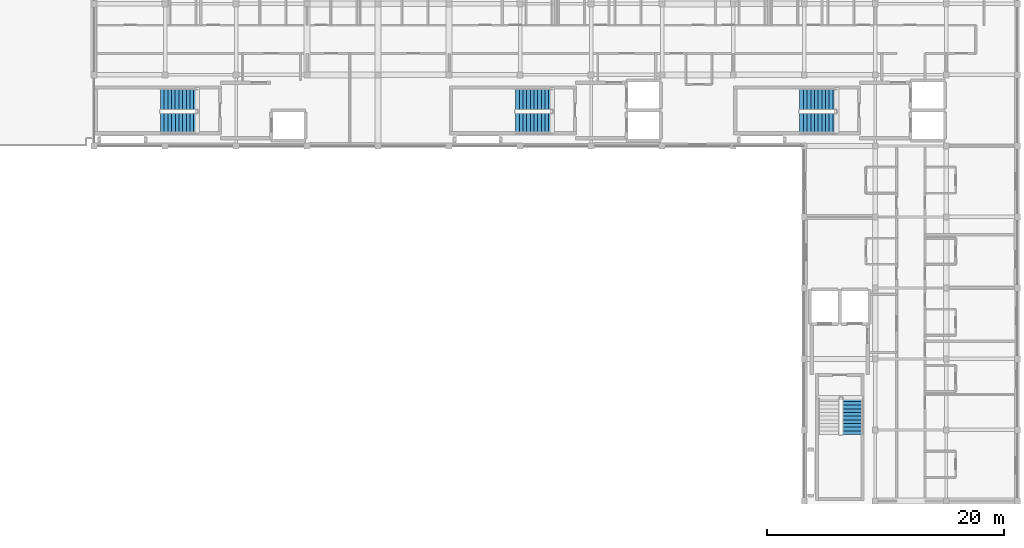
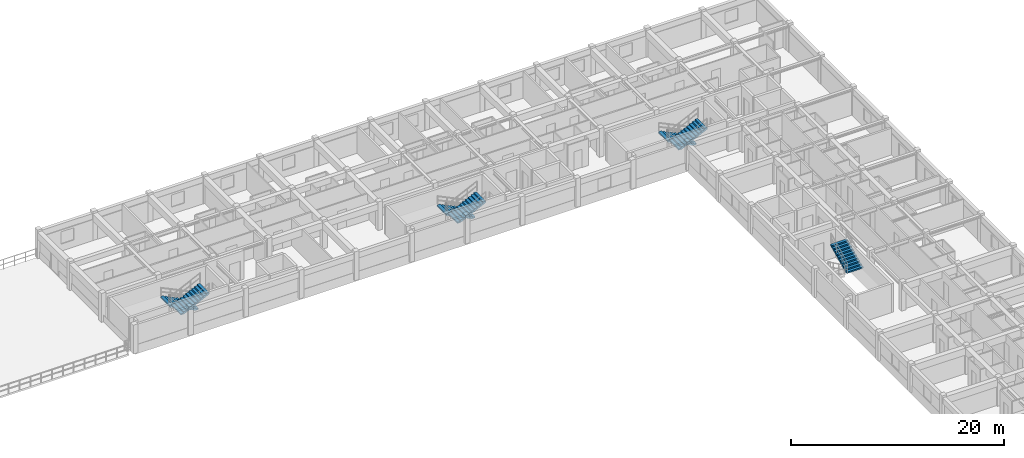
# One storey, part 11 of 15: 7 stair flights, 4 elements without a shape of their own.
"""IFC4 building model written with IfcOpenShell, lengths in metres."""

from ifc_helpers import new_model, si_unit, direction, frame, origin, place, context, subcontext, project, spatial, polyline, outline, extrude, material, type_object, element, aggregate, save


model = new_model("IFC4")

# Units and contexts
model_context = context("Model", 3, precision=1e-05, world=origin(), true_north=direction((0.0, 1.0)))
body_context = subcontext(model_context, "Body", "Model", "MODEL_VIEW")
ifc_project = project(units=[si_unit("LENGTHUNIT", "METRE"), si_unit("AREAUNIT", "SQUARE_METRE"), si_unit("VOLUMEUNIT", "CUBIC_METRE"), si_unit("PLANEANGLEUNIT", "RADIAN"), si_unit("MASSUNIT", "GRAM", prefix="KILO"), si_unit("THERMODYNAMICTEMPERATUREUNIT", "KELVIN"), si_unit("POWERUNIT", "WATT")], contexts=[model_context])

# Site, building, storey
site_placement = place(None, origin())
site = spatial("IfcSite", under=ifc_project, at=site_placement, CompositionType="ELEMENT")
building_placement = place(site_placement, origin())
building = spatial("IfcBuilding", under=site, at=building_placement, Name="Phaisarnlok Congress Hotel", CompositionType="ELEMENT")
storey_placement = place(building_placement, frame((0.0, 0.0, 38.10009765625)))
storey = spatial("IfcBuildingStorey", under=building, at=storey_placement, Name="L09", CompositionType="ELEMENT", Elevation=38.10009765625)

# Stair, stair flights
ifc_material = material(Name="Concrete C40/50", Category="concrete")
stair_type = type_object("IfcStairType", Name="STR-DOG-05", PredefinedType="HALF_TURN_STAIR", material=ifc_material)
stair_1_placement = place(storey_placement, origin())
stair_1 = element("IfcStair", 1, at=stair_1_placement, inside=storey, type_object=stair_type, Name="L09 ST-05", PredefinedType="HALF_TURN_STAIR")
stair_flight_type = type_object("IfcStairFlightType", Name="SFL-RC-05", PredefinedType="STRAIGHT", material=ifc_material)
stair_flight_1_placement = place(storey_placement, frame((164.719970703125, 111.909912109375, 0.0), z_axis=(0.0, 0.0, 1.0), x_axis=(-1.0, 0.0, 0.0)))
stair_flight_1 = element("IfcStairFlight", 2, at=stair_flight_1_placement, type_object=stair_flight_type, Name="ST-05 flight 1", NumberOfRisers=11, NumberOfTreads=10, PredefinedType="STRAIGHT", RiserHeight=0.15, TreadLength=0.31, context=body_context, shape_type="SweptSolid", body=[
    extrude(outline(polyline([(0.0, 0.0), (0.0, 0.14990234375), (0.31005859375, 0.14990234375), (0.31005859375, 0.300048828125), (0.6201171875, 0.300048828125), (0.6201171875, 0.449951171875), (0.929931640625, 0.449951171875), (0.929931640625, 0.60009765625), (1.239990234375, 0.60009765625), (1.239990234375, 0.75), (1.550048828125, 0.75), (1.550048828125, 0.89990234375), (1.860107421875, 0.89990234375), (1.860107421875, 1.050048828125), (2.169921875, 1.050048828125), (2.169921875, 1.199951171875), (2.47998046875, 1.199951171875), (2.47998046875, 1.35009765625), (2.7900390625, 1.35009765625), (2.7900390625, 1.5), (3.10009765625, 1.5), (3.10009765625, 1.64990234375), (3.10009765625, 1.33349609375), (0.34423828125, 0.0), (0.0, 0.0)])), frame((0.0, 0.89013671875, 0.0), z_axis=(0.0, -1.0, 0.0), x_axis=(1.0, 0.0, 0.0)), (0.0, 0.0, 1.0), 1.780029296875),
])
stair_flight_2_placement = place(storey_placement, frame((161.6201171875, 109.889892578125, 1.64990234375), z_axis=(0.0, 0.0, 1.0), x_axis=(1.0, 0.0, 0.0)))
stair_flight_2 = element("IfcStairFlight", 3, at=stair_flight_2_placement, type_object=stair_flight_type, Name="ST-05 flight 2", NumberOfRisers=11, NumberOfTreads=10, PredefinedType="STRAIGHT", RiserHeight=0.15, TreadLength=0.31, context=body_context, shape_type="SweptSolid", body=[
    extrude(outline(polyline([(0.0, 0.0), (0.0, 0.14990234375), (0.31005859375, 0.14990234375), (0.31005859375, 0.300048828125), (0.6201171875, 0.300048828125), (0.6201171875, 0.449951171875), (0.929931640625, 0.449951171875), (0.929931640625, 0.60009765625), (1.239990234375, 0.60009765625), (1.239990234375, 0.75), (1.550048828125, 0.75), (1.550048828125, 0.89990234375), (1.860107421875, 0.89990234375), (1.860107421875, 1.050048828125), (2.169921875, 1.050048828125), (2.169921875, 1.199951171875), (2.47998046875, 1.199951171875), (2.47998046875, 1.35009765625), (2.7900390625, 1.35009765625), (2.7900390625, 1.5), (3.10009765625, 1.5), (3.10009765625, 1.64990234375), (3.10009765625, 1.33349609375), (0.34423828125, 0.0), (0.0, 0.0)])), frame((0.0, 0.89013671875, 0.0), z_axis=(0.0, -1.0, 0.0), x_axis=(1.0, 0.0, 0.0)), (0.0, 0.0, 1.0), 1.780029296875),
])
aggregate(stair_1, [stair_flight_1, stair_flight_2])

stair_2_placement = place(storey_placement, origin())
stair_2 = element("IfcStair", 4, at=stair_2_placement, inside=storey, type_object=stair_type, Name="L09 ST-06", PredefinedType="HALF_TURN_STAIR")
stair_flight_3_placement = place(storey_placement, frame((140.719970703125, 111.909912109375, 0.0), z_axis=(0.0, 0.0, 1.0), x_axis=(-1.0, 0.0, 0.0)))
stair_flight_3 = element("IfcStairFlight", 5, at=stair_flight_3_placement, type_object=stair_flight_type, Name="ST-06 flight 1", NumberOfRisers=11, NumberOfTreads=10, PredefinedType="STRAIGHT", RiserHeight=0.15, TreadLength=0.31, context=body_context, shape_type="SweptSolid", body=[
    extrude(outline(polyline([(0.0, 0.0), (0.0, 0.14990234375), (0.31005859375, 0.14990234375), (0.31005859375, 0.300048828125), (0.6201171875, 0.300048828125), (0.6201171875, 0.449951171875), (0.929931640625, 0.449951171875), (0.929931640625, 0.60009765625), (1.239990234375, 0.60009765625), (1.239990234375, 0.75), (1.550048828125, 0.75), (1.550048828125, 0.89990234375), (1.860107421875, 0.89990234375), (1.860107421875, 1.050048828125), (2.169921875, 1.050048828125), (2.169921875, 1.199951171875), (2.47998046875, 1.199951171875), (2.47998046875, 1.35009765625), (2.7900390625, 1.35009765625), (2.7900390625, 1.5), (3.10009765625, 1.5), (3.10009765625, 1.64990234375), (3.10009765625, 1.33349609375), (0.34423828125, 0.0), (0.0, 0.0)])), frame((0.0, 0.89013671875, 0.0), z_axis=(0.0, -1.0, 0.0), x_axis=(1.0, 0.0, 0.0)), (0.0, 0.0, 1.0), 1.780029296875),
])
stair_flight_4_placement = place(storey_placement, frame((137.6201171875, 109.889892578125, 1.64990234375), z_axis=(0.0, 0.0, 1.0), x_axis=(1.0, 0.0, 0.0)))
stair_flight_4 = element("IfcStairFlight", 6, at=stair_flight_4_placement, type_object=stair_flight_type, Name="ST-06 flight 2", NumberOfRisers=11, NumberOfTreads=10, PredefinedType="STRAIGHT", RiserHeight=0.15, TreadLength=0.31, context=body_context, shape_type="SweptSolid", body=[
    extrude(outline(polyline([(0.0, 0.0), (0.0, 0.14990234375), (0.31005859375, 0.14990234375), (0.31005859375, 0.300048828125), (0.6201171875, 0.300048828125), (0.6201171875, 0.449951171875), (0.929931640625, 0.449951171875), (0.929931640625, 0.60009765625), (1.239990234375, 0.60009765625), (1.239990234375, 0.75), (1.550048828125, 0.75), (1.550048828125, 0.89990234375), (1.860107421875, 0.89990234375), (1.860107421875, 1.050048828125), (2.169921875, 1.050048828125), (2.169921875, 1.199951171875), (2.47998046875, 1.199951171875), (2.47998046875, 1.35009765625), (2.7900390625, 1.35009765625), (2.7900390625, 1.5), (3.10009765625, 1.5), (3.10009765625, 1.64990234375), (3.10009765625, 1.33349609375), (0.34423828125, 0.0), (0.0, 0.0)])), frame((0.0, 0.89013671875, 0.0), z_axis=(0.0, -1.0, 0.0), x_axis=(1.0, 0.0, 0.0)), (0.0, 0.0, 1.0), 1.780029296875),
])
aggregate(stair_2, [stair_flight_3, stair_flight_4])

stair_3_placement = place(storey_placement, origin())
stair_3 = element("IfcStair", 7, at=stair_3_placement, inside=storey, type_object=stair_type, Name="L09 ST-07", PredefinedType="HALF_TURN_STAIR")
stair_flight_5_placement = place(storey_placement, frame((110.719970703125, 111.909912109375, 0.0), z_axis=(0.0, 0.0, 1.0), x_axis=(-1.0, 0.0, 0.0)))
stair_flight_5 = element("IfcStairFlight", 8, at=stair_flight_5_placement, type_object=stair_flight_type, Name="ST-07 flight 1", NumberOfRisers=11, NumberOfTreads=10, PredefinedType="STRAIGHT", RiserHeight=0.15, TreadLength=0.31, context=body_context, shape_type="SweptSolid", body=[
    extrude(outline(polyline([(0.0, 0.0), (0.0, 0.14990234375), (0.31005859375, 0.14990234375), (0.31005859375, 0.300048828125), (0.6201171875, 0.300048828125), (0.6201171875, 0.449951171875), (0.929931640625, 0.449951171875), (0.929931640625, 0.60009765625), (1.239990234375, 0.60009765625), (1.239990234375, 0.75), (1.550048828125, 0.75), (1.550048828125, 0.89990234375), (1.860107421875, 0.89990234375), (1.860107421875, 1.050048828125), (2.169921875, 1.050048828125), (2.169921875, 1.199951171875), (2.47998046875, 1.199951171875), (2.47998046875, 1.35009765625), (2.7900390625, 1.35009765625), (2.7900390625, 1.5), (3.10009765625, 1.5), (3.10009765625, 1.64990234375), (3.10009765625, 1.33349609375), (0.34423828125, 0.0), (0.0, 0.0)])), frame((0.0, 0.89013671875, 0.0), z_axis=(0.0, -1.0, 0.0), x_axis=(1.0, 0.0, 0.0)), (0.0, 0.0, 1.0), 1.780029296875),
])
stair_flight_6_placement = place(storey_placement, frame((107.6201171875, 109.889892578125, 1.64990234375), z_axis=(0.0, 0.0, 1.0), x_axis=(1.0, 0.0, 0.0)))
stair_flight_6 = element("IfcStairFlight", 9, at=stair_flight_6_placement, type_object=stair_flight_type, Name="ST-07 flight 2", NumberOfRisers=11, NumberOfTreads=10, PredefinedType="STRAIGHT", RiserHeight=0.15, TreadLength=0.31, context=body_context, shape_type="SweptSolid", body=[
    extrude(outline(polyline([(0.0, 0.0), (0.0, 0.14990234375), (0.31005859375, 0.14990234375), (0.31005859375, 0.300048828125), (0.6201171875, 0.300048828125), (0.6201171875, 0.449951171875), (0.929931640625, 0.449951171875), (0.929931640625, 0.60009765625), (1.239990234375, 0.60009765625), (1.239990234375, 0.75), (1.550048828125, 0.75), (1.550048828125, 0.89990234375), (1.860107421875, 0.89990234375), (1.860107421875, 1.050048828125), (2.169921875, 1.050048828125), (2.169921875, 1.199951171875), (2.47998046875, 1.199951171875), (2.47998046875, 1.35009765625), (2.7900390625, 1.35009765625), (2.7900390625, 1.5), (3.10009765625, 1.5), (3.10009765625, 1.64990234375), (3.10009765625, 1.33349609375), (0.34423828125, 0.0), (0.0, 0.0)])), frame((0.0, 0.89013671875, 0.0), z_axis=(0.0, -1.0, 0.0), x_axis=(1.0, 0.0, 0.0)), (0.0, 0.0, 1.0), 1.780029296875),
])
aggregate(stair_3, [stair_flight_5, stair_flight_6])

# Stair, stair flight
stair_4_placement = place(storey_placement, origin())
stair_4 = element("IfcStair", 10, at=stair_4_placement, inside=storey, type_object=stair_type, Name="L09 ST-09", PredefinedType="HALF_TURN_STAIR")
stair_flight_7_placement = place(storey_placement, frame((166.110107421875, 83.6201171875, 1.64990234375), z_axis=(0.0, 0.0, 1.0), x_axis=(0.0, 1.0, 0.0)))
stair_flight_7 = element("IfcStairFlight", 11, at=stair_flight_7_placement, type_object=stair_flight_type, Name="ST-09 flight 2", NumberOfRisers=11, NumberOfTreads=10, PredefinedType="STRAIGHT", RiserHeight=0.15, TreadLength=0.31, context=body_context, shape_type="SweptSolid", body=[
    extrude(outline(polyline([(0.0, 0.0), (0.0, 0.14990234375), (0.31005859375, 0.14990234375), (0.31005859375, 0.300048828125), (0.6201171875, 0.300048828125), (0.6201171875, 0.449951171875), (0.929931640625, 0.449951171875), (0.929931640625, 0.60009765625), (1.239990234375, 0.60009765625), (1.239990234375, 0.75), (1.550048828125, 0.75), (1.550048828125, 0.89990234375), (1.860107421875, 0.89990234375), (1.860107421875, 1.050048828125), (2.169921875, 1.050048828125), (2.169921875, 1.199951171875), (2.47998046875, 1.199951171875), (2.47998046875, 1.35009765625), (2.7900390625, 1.35009765625), (2.7900390625, 1.5), (3.10009765625, 1.5), (3.10009765625, 1.64990234375), (3.10009765625, 1.33349609375), (0.34423828125, 0.0), (0.0, 0.0)])), frame((0.0, 0.89013671875, 0.0), z_axis=(0.0, -1.0, 0.0), x_axis=(1.0, 0.0, 0.0)), (0.0, 0.0, 1.0), 1.780029296875),
])
aggregate(stair_4, [stair_flight_7])

save(model, "model.ifc")
